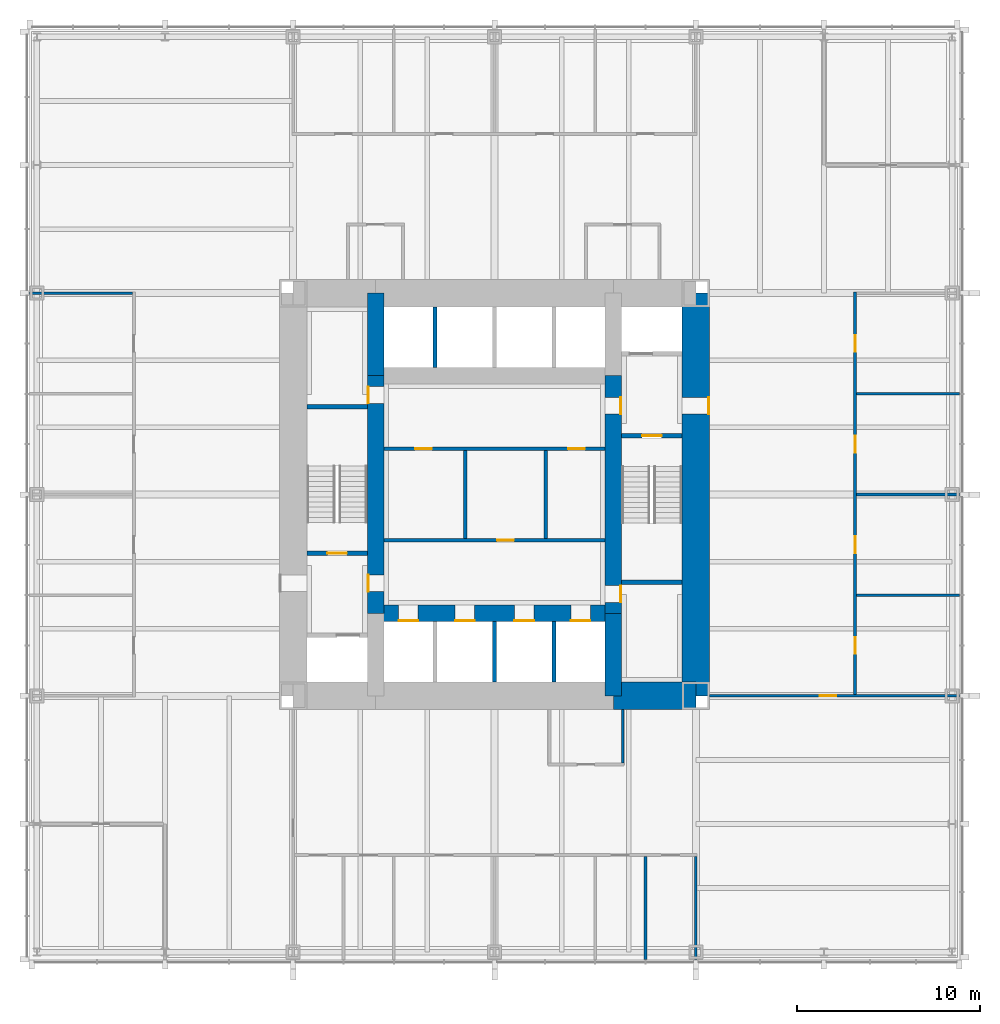
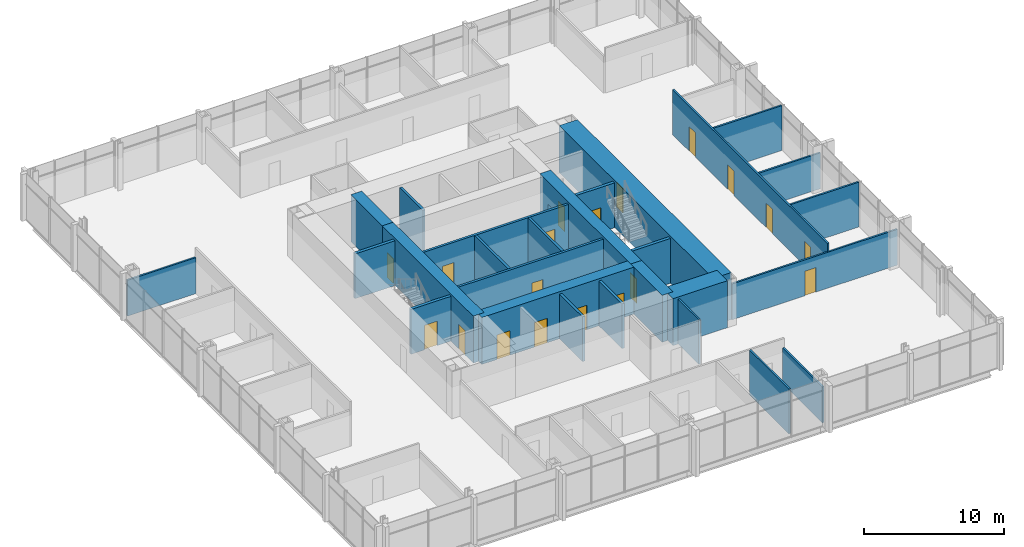
# One storey, part 10 of 12: 27 walls, 19 doors, 19 openings.
"""IFC4 building model written with IfcOpenShell, lengths in metres."""

from ifc_helpers import new_model, si_unit, direction, frame, frame_2d, origin, place, context, subcontext, project, spatial, rectangle, extrude, material, layer, layer_set, type_object, element, fill, save


model = new_model("IFC4")

# Units and contexts
model_context = context("Model", 3, precision=1e-05, world=origin(), true_north=direction((0.0, 1.0)))
body_context = subcontext(model_context, "Body", "Model", "MODEL_VIEW")
ifc_project = project(units=[si_unit("LENGTHUNIT", "METRE"), si_unit("AREAUNIT", "SQUARE_METRE"), si_unit("VOLUMEUNIT", "CUBIC_METRE"), si_unit("PLANEANGLEUNIT", "RADIAN"), si_unit("MASSUNIT", "GRAM", prefix="KILO")], contexts=[model_context])

# Site, building, storey
site_placement = place(None, origin())
site = spatial("IfcSite", under=ifc_project, at=site_placement, CompositionType="ELEMENT")
building_placement = place(site_placement, origin())
building = spatial("IfcBuilding", under=site, at=building_placement, Name="Trevanion Tower", CompositionType="ELEMENT")
storey_placement = place(building_placement, frame((0.0, 0.0, 69.300048828125)))
storey = spatial("IfcBuildingStorey", under=building, at=storey_placement, Name="L16", CompositionType="ELEMENT", Elevation=69.300048828125)

# Wall, opening, door
ifc_material_1 = material(Name="Concrete 10,000 psi", Category="concrete")
ifc_layer_1 = layer(ifc_material_1, 1.5)
ifc_layer_set_1 = layer_set([ifc_layer_1], Name="CW1 core wall 1500")
wall_type_1 = type_object("IfcWallType", Name="CW1 core wall 1500", PredefinedType="SHEAR", material=ifc_layer_set_1)
wall_1_placement = place(storey_placement, frame((11.0, -11.0, 0.0), z_axis=(0.0, 0.0, 1.0), x_axis=(0.0, 1.0, 0.0)))
wall_1 = element("IfcWall", 1, at=wall_1_placement, inside=storey, type_object=wall_type_1, Name="CW1 CE L16", PredefinedType="SHEAR", context=body_context, shape_type="SweptSolid", body=[
    extrude(rectangle(XDim=22.0, YDim=1.5, at=frame_2d((11.0, 0.0))), origin(), (0.0, 0.0, 1.0), 4.099853515625),
])
opening_1_placement = place(wall_1_placement, frame((15.392578125, 0.0, 0.0)))
opening_1 = element("IfcOpeningElement", 2, at=opening_1_placement, cuts=wall_1, Name="Opening 16-001", PredefinedType="OPENING", context=body_context, shape_type="SweptSolid", body=[
    extrude(rectangle(XDim=0.9150390625, YDim=2.134033203125, at=frame_2d((0.45751953125, 1.06689453125))), frame((0.0, 0.760009765625, 0.0), z_axis=(0.0, -1.0, 0.0), x_axis=(1.0, 0.0, 0.0)), (0.0, 0.0, 1.0), 1.52001953125),
])
ifc_material_2 = material(Name="Hollow metal, fire rated", Category="steel")
door_type_1 = type_object("IfcDoorType", Name="D3 fire lift lobby door", OperationType="SINGLE_SWING_RIGHT", PredefinedType="DOOR", material=ifc_material_2)
door_1_placement = place(opening_1_placement, origin())
door_1 = element("IfcDoor", 3, at=door_1_placement, inside=storey, type_object=door_type_1, Name="Door 16-001", OperationType="SINGLE_SWING_RIGHT", OverallHeight=2.134033203125, OverallWidth=0.9150390625, PredefinedType="DOOR", context=body_context, shape_type="SweptSolid", body=[
    extrude(rectangle(XDim=0.9150390625, YDim=2.134033203125, at=frame_2d((0.45751953125, 1.06689453125))), frame((0.0, -0.6748046875, 0.0), z_axis=(0.0, -1.0, 0.0), x_axis=(1.0, 0.0, 0.0)), (0.0, 0.0, 1.0), 0.050048828125),
])
fill(opening_1, door_1)

# Walls
wall_2_placement = place(storey_placement, frame((6.5, -11.0, 0.0), z_axis=(0.0, 0.0, 1.0), x_axis=(1.0, 0.0, 0.0)))
element("IfcWall", 4, at=wall_2_placement, inside=storey, type_object=wall_type_1, Name="CW1 CS3 L16", PredefinedType="SHEAR", context=body_context, shape_type="SweptSolid", body=[
    extrude(rectangle(XDim=4.5, YDim=1.5, at=frame_2d((2.25, 0.0))), origin(), (0.0, 0.0, 1.0), 4.099853515625),
])
ifc_material_3 = material(Name="Concrete 10,000 psi", Category="concrete")
ifc_layer_2 = layer(ifc_material_3, 0.89990234375)
ifc_layer_set_2 = layer_set([ifc_layer_2], Name="CW2 core wall 900")
wall_type_2 = type_object("IfcWallType", Name="CW2 core wall 900", PredefinedType="SHEAR", material=ifc_layer_set_2)
wall_3_placement = place(storey_placement, frame((6.5, -11.0, 0.0), z_axis=(0.0, 0.0, 1.0), x_axis=(0.0, 1.0, 0.0)))
element("IfcWall", 5, at=wall_3_placement, inside=storey, type_object=wall_type_2, Name="CW2 RE1 L16", PredefinedType="SHEAR", context=body_context, shape_type="SweptSolid", body=[
    extrude(rectangle(XDim=4.5, YDim=0.89990234375, at=frame_2d((2.25, 0.0))), origin(), (0.0, 0.0, 1.0), 4.099853515625),
])

# Wall, openings, doors
wall_4_placement = place(storey_placement, frame((6.5, -6.5, 0.0), z_axis=(0.0, 0.0, 1.0), x_axis=(0.0, 1.0, 0.0)))
wall_4 = element("IfcWall", 6, at=wall_4_placement, inside=storey, type_object=wall_type_2, Name="CW2 RE2 L16", PredefinedType="SHEAR", context=body_context, shape_type="SweptSolid", body=[
    extrude(rectangle(XDim=13.0, YDim=0.89990234375, at=frame_2d((6.5, 0.0))), origin(), (0.0, 0.0, 1.0), 4.099853515625),
])
opening_2_placement = place(wall_4_placement, frame((10.892578125, 0.0, 0.0)))
opening_2 = element("IfcOpeningElement", 7, at=opening_2_placement, cuts=wall_4, Name="Opening 16-003", PredefinedType="OPENING", context=body_context, shape_type="SweptSolid", body=[
    extrude(rectangle(XDim=0.9150390625, YDim=2.134033203125, at=frame_2d((0.45751953125, 1.06689453125))), frame((0.0, 0.4599609375, 0.0), z_axis=(0.0, -1.0, 0.0), x_axis=(1.0, 0.0, 0.0)), (0.0, 0.0, 1.0), 0.919921875),
])
opening_3_placement = place(wall_4_placement, frame((0.610107421875, 0.0, 0.0)))
opening_3 = element("IfcOpeningElement", 8, at=opening_3_placement, cuts=wall_4, Name="Opening 16-009", PredefinedType="OPENING", context=body_context, shape_type="SweptSolid", body=[
    extrude(rectangle(XDim=0.9150390625, YDim=2.134033203125, at=frame_2d((0.45751953125, 1.06689453125))), frame((0.0, 0.4599609375, 0.0), z_axis=(0.0, -1.0, 0.0), x_axis=(1.0, 0.0, 0.0)), (0.0, 0.0, 1.0), 0.919921875),
])
door_2_placement = place(opening_2_placement, origin())
door_2 = element("IfcDoor", 9, at=door_2_placement, inside=storey, type_object=door_type_1, Name="Door 16-003", OperationType="SINGLE_SWING_RIGHT", OverallHeight=2.134033203125, OverallWidth=0.9150390625, PredefinedType="DOOR", context=body_context, shape_type="SweptSolid", body=[
    extrude(rectangle(XDim=0.9150390625, YDim=2.134033203125, at=frame_2d((0.45751953125, 1.06689453125))), frame((0.0, -0.375, 0.0), z_axis=(0.0, -1.0, 0.0), x_axis=(1.0, 0.0, 0.0)), (0.0, 0.0, 1.0), 0.050048828125),
])
fill(opening_2, door_2)
ifc_material_4 = material(Name="Hollow metal, fire rated", Category="steel")
door_type_2 = type_object("IfcDoorType", Name="D5 service room door", OperationType="SINGLE_SWING_RIGHT", PredefinedType="DOOR", material=ifc_material_4)
door_3_placement = place(opening_3_placement, origin())
door_3 = element("IfcDoor", 10, at=door_3_placement, inside=storey, type_object=door_type_2, Name="Door 16-009", OperationType="SINGLE_SWING_RIGHT", OverallHeight=2.134033203125, OverallWidth=0.9150390625, PredefinedType="DOOR", context=body_context, shape_type="SweptSolid", body=[
    extrude(rectangle(XDim=0.9150390625, YDim=2.134033203125, at=frame_2d((0.45751953125, 1.06689453125))), frame((0.0, -0.375, 0.0), z_axis=(0.0, -1.0, 0.0), x_axis=(1.0, 0.0, 0.0)), (0.0, 0.0, 1.0), 0.050048828125),
])
fill(opening_3, door_3)

# Wall
wall_5_placement = place(storey_placement, frame((-6.5, 11.0, 0.0), z_axis=(0.0, 0.0, 1.0), x_axis=(0.0, -1.0, 0.0)))
element("IfcWall", 11, at=wall_5_placement, inside=storey, type_object=wall_type_2, Name="CW2 RW1 L16", PredefinedType="SHEAR", context=body_context, shape_type="SweptSolid", body=[
    extrude(rectangle(XDim=4.5, YDim=0.89990234375, at=frame_2d((2.25, 0.0))), origin(), (0.0, 0.0, 1.0), 4.099853515625),
])

# Wall, openings, doors
wall_6_placement = place(storey_placement, frame((-6.5, 6.5, 0.0), z_axis=(0.0, 0.0, 1.0), x_axis=(0.0, -1.0, 0.0)))
wall_6 = element("IfcWall", 12, at=wall_6_placement, inside=storey, type_object=wall_type_2, Name="CW2 RW2 L16", PredefinedType="SHEAR", context=body_context, shape_type="SweptSolid", body=[
    extrude(rectangle(XDim=13.0, YDim=0.89990234375, at=frame_2d((6.5, 0.0))), origin(), (0.0, 0.0, 1.0), 4.099853515625),
])
opening_4_placement = place(wall_6_placement, frame((10.892578125, 0.0, 0.0)))
opening_4 = element("IfcOpeningElement", 13, at=opening_4_placement, cuts=wall_6, Name="Opening 16-004", PredefinedType="OPENING", context=body_context, shape_type="SweptSolid", body=[
    extrude(rectangle(XDim=0.9150390625, YDim=2.134033203125, at=frame_2d((0.45751953125, 1.06689453125))), frame((0.0, 0.4599609375, 0.0), z_axis=(0.0, -1.0, 0.0), x_axis=(1.0, 0.0, 0.0)), (0.0, 0.0, 1.0), 0.919921875),
])
opening_5_placement = place(wall_6_placement, frame((0.610107421875, 0.0, 0.0)))
opening_5 = element("IfcOpeningElement", 14, at=opening_5_placement, cuts=wall_6, Name="Opening 16-010", PredefinedType="OPENING", context=body_context, shape_type="SweptSolid", body=[
    extrude(rectangle(XDim=0.9150390625, YDim=2.134033203125, at=frame_2d((0.45751953125, 1.06689453125))), frame((0.0, 0.4599609375, 0.0), z_axis=(0.0, -1.0, 0.0), x_axis=(1.0, 0.0, 0.0)), (0.0, 0.0, 1.0), 0.919921875),
])
door_4_placement = place(opening_4_placement, origin())
door_4 = element("IfcDoor", 15, at=door_4_placement, inside=storey, type_object=door_type_1, Name="Door 16-004", OperationType="SINGLE_SWING_RIGHT", OverallHeight=2.134033203125, OverallWidth=0.9150390625, PredefinedType="DOOR", context=body_context, shape_type="SweptSolid", body=[
    extrude(rectangle(XDim=0.9150390625, YDim=2.134033203125, at=frame_2d((0.45751953125, 1.06689453125))), frame((0.0, -0.375, 0.0), z_axis=(0.0, -1.0, 0.0), x_axis=(1.0, 0.0, 0.0)), (0.0, 0.0, 1.0), 0.050048828125),
])
fill(opening_4, door_4)
door_5_placement = place(opening_5_placement, origin())
door_5 = element("IfcDoor", 16, at=door_5_placement, inside=storey, type_object=door_type_2, Name="Door 16-010", OperationType="SINGLE_SWING_RIGHT", OverallHeight=2.134033203125, OverallWidth=0.9150390625, PredefinedType="DOOR", context=body_context, shape_type="SweptSolid", body=[
    extrude(rectangle(XDim=0.9150390625, YDim=2.134033203125, at=frame_2d((0.45751953125, 1.06689453125))), frame((0.0, -0.375, 0.0), z_axis=(0.0, -1.0, 0.0), x_axis=(1.0, 0.0, 0.0)), (0.0, 0.0, 1.0), 0.050048828125),
])
fill(opening_5, door_5)

wall_7_placement = place(storey_placement, frame((-6.5, -6.5, 0.0), z_axis=(0.0, 0.0, 1.0), x_axis=(1.0, 0.0, 0.0)))
wall_7 = element("IfcWall", 17, at=wall_7_placement, inside=storey, type_object=wall_type_2, Name="CW2 RS L16", PredefinedType="SHEAR", context=body_context, shape_type="SweptSolid", body=[
    extrude(rectangle(XDim=13.0, YDim=0.89990234375, at=frame_2d((6.5, 0.0))), origin(), (0.0, 0.0, 1.0), 4.099853515625),
])
opening_6_placement = place(wall_7_placement, frame((1.2666015625, 0.0, 0.0)))
opening_6 = element("IfcOpeningElement", 18, at=opening_6_placement, cuts=wall_7, Name="Opening 16-011", PredefinedType="OPENING", context=body_context, shape_type="SweptSolid", body=[
    extrude(rectangle(XDim=1.06689453125, YDim=2.134033203125, at=frame_2d((0.533447265625, 1.06689453125))), frame((0.0, 0.4599609375, 0.0), z_axis=(0.0, -1.0, 0.0), x_axis=(1.0, 0.0, 0.0)), (0.0, 0.0, 1.0), 0.919921875),
])
opening_7_placement = place(wall_7_placement, frame((4.341552734375, 0.0, 0.0)))
opening_7 = element("IfcOpeningElement", 19, at=opening_7_placement, cuts=wall_7, Name="Opening 16-012", PredefinedType="OPENING", context=body_context, shape_type="SweptSolid", body=[
    extrude(rectangle(XDim=1.06689453125, YDim=2.134033203125, at=frame_2d((0.533447265625, 1.06689453125))), frame((0.0, 0.4599609375, 0.0), z_axis=(0.0, -1.0, 0.0), x_axis=(1.0, 0.0, 0.0)), (0.0, 0.0, 1.0), 0.919921875),
])
opening_8_placement = place(wall_7_placement, frame((7.591552734375, 0.0, 0.0)))
opening_8 = element("IfcOpeningElement", 20, at=opening_8_placement, cuts=wall_7, Name="Opening 16-013", PredefinedType="OPENING", context=body_context, shape_type="SweptSolid", body=[
    extrude(rectangle(XDim=1.06689453125, YDim=2.134033203125, at=frame_2d((0.533447265625, 1.06689453125))), frame((0.0, 0.4599609375, 0.0), z_axis=(0.0, -1.0, 0.0), x_axis=(1.0, 0.0, 0.0)), (0.0, 0.0, 1.0), 0.919921875),
])
opening_9_placement = place(wall_7_placement, frame((10.66650390625, 0.0, 0.0)))
opening_9 = element("IfcOpeningElement", 21, at=opening_9_placement, cuts=wall_7, Name="Opening 16-014", PredefinedType="OPENING", context=body_context, shape_type="SweptSolid", body=[
    extrude(rectangle(XDim=1.06689453125, YDim=2.134033203125, at=frame_2d((0.533447265625, 1.06689453125))), frame((0.0, 0.4599609375, 0.0), z_axis=(0.0, -1.0, 0.0), x_axis=(1.0, 0.0, 0.0)), (0.0, 0.0, 1.0), 0.919921875),
])
ifc_material_5 = material(Name="Stainless steel, fire rated", Category="steel")
door_type_3 = type_object("IfcDoorType", Name="LD1 lift landing door", OperationType="SLIDING_TO_LEFT", PredefinedType="DOOR", material=ifc_material_5)
door_6_placement = place(opening_6_placement, origin())
door_6 = element("IfcDoor", 22, at=door_6_placement, inside=storey, type_object=door_type_3, Name="Door 16-011", OperationType="SLIDING_TO_LEFT", OverallHeight=2.134033203125, OverallWidth=1.06689453125, PredefinedType="DOOR", context=body_context, shape_type="SweptSolid", body=[
    extrude(rectangle(XDim=1.06689453125, YDim=2.134033203125, at=frame_2d((0.533447265625, 1.06689453125))), frame((0.0, -0.375, 0.0), z_axis=(0.0, -1.0, 0.0), x_axis=(1.0, 0.0, 0.0)), (0.0, 0.0, 1.0), 0.050048828125),
])
fill(opening_6, door_6)
door_7_placement = place(opening_7_placement, origin())
door_7 = element("IfcDoor", 23, at=door_7_placement, inside=storey, type_object=door_type_3, Name="Door 16-012", OperationType="SLIDING_TO_LEFT", OverallHeight=2.134033203125, OverallWidth=1.06689453125, PredefinedType="DOOR", context=body_context, shape_type="SweptSolid", body=[
    extrude(rectangle(XDim=1.06689453125, YDim=2.134033203125, at=frame_2d((0.533447265625, 1.06689453125))), frame((0.0, -0.375, 0.0), z_axis=(0.0, -1.0, 0.0), x_axis=(1.0, 0.0, 0.0)), (0.0, 0.0, 1.0), 0.050048828125),
])
fill(opening_7, door_7)
door_8_placement = place(opening_8_placement, origin())
door_8 = element("IfcDoor", 24, at=door_8_placement, inside=storey, type_object=door_type_3, Name="Door 16-013", OperationType="SLIDING_TO_LEFT", OverallHeight=2.134033203125, OverallWidth=1.06689453125, PredefinedType="DOOR", context=body_context, shape_type="SweptSolid", body=[
    extrude(rectangle(XDim=1.06689453125, YDim=2.134033203125, at=frame_2d((0.533447265625, 1.06689453125))), frame((0.0, -0.375, 0.0), z_axis=(0.0, -1.0, 0.0), x_axis=(1.0, 0.0, 0.0)), (0.0, 0.0, 1.0), 0.050048828125),
])
fill(opening_8, door_8)
door_9_placement = place(opening_9_placement, origin())
door_9 = element("IfcDoor", 25, at=door_9_placement, inside=storey, type_object=door_type_3, Name="Door 16-014", OperationType="SLIDING_TO_LEFT", OverallHeight=2.134033203125, OverallWidth=1.06689453125, PredefinedType="DOOR", context=body_context, shape_type="SweptSolid", body=[
    extrude(rectangle(XDim=1.06689453125, YDim=2.134033203125, at=frame_2d((0.533447265625, 1.06689453125))), frame((0.0, -0.375, 0.0), z_axis=(0.0, -1.0, 0.0), x_axis=(1.0, 0.0, 0.0)), (0.0, 0.0, 1.0), 0.050048828125),
])
fill(opening_9, door_9)

# Wall, opening, door
ifc_material_6 = material(Name="Gypsum board on steel studs", Category="steel")
ifc_layer_3 = layer(ifc_material_6, 0.14990234375)
ifc_layer_set_3 = layer_set([ifc_layer_3], Name="PT1 partition 150")
wall_type_3 = type_object("IfcWallType", Name="PT1 partition 150", PredefinedType="PARTITIONING", material=ifc_layer_set_3)
wall_8_placement = place(storey_placement, frame((11.75, -11.0, 0.0), z_axis=(0.0, 0.0, 1.0), x_axis=(1.0, 0.0, 0.0)))
wall_8 = element("IfcWall", 26, at=wall_8_placement, inside=storey, type_object=wall_type_3, Name="PT1 L16 ZW3", PredefinedType="PARTITIONING", context=body_context, shape_type="SweptSolid", body=[
    extrude(rectangle(XDim=13.6650390625, YDim=0.14990234375, at=frame_2d((6.83251953125, 0.0))), origin(), (0.0, 0.0, 1.0), 3.130126953125),
])
opening_10_placement = place(wall_8_placement, frame((6.017578125, 0.0, 0.0)))
opening_10 = element("IfcOpeningElement", 27, at=opening_10_placement, cuts=wall_8, Name="Opening 16-019", PredefinedType="OPENING", context=body_context, shape_type="SweptSolid", body=[
    extrude(rectangle(XDim=0.9150390625, YDim=2.134033203125, at=frame_2d((0.45751953125, 1.06689453125))), frame((0.0, 0.0849609375, 0.0), z_axis=(0.0, -1.0, 0.0), x_axis=(1.0, 0.0, 0.0)), (0.0, 0.0, 1.0), 0.169921875),
])
ifc_material_7 = material(Name="Timber veneer, solid core", Category="wood")
door_type_4 = type_object("IfcDoorType", Name="D1 office and meeting room door", OperationType="SINGLE_SWING_LEFT", PredefinedType="DOOR", material=ifc_material_7)
door_10_placement = place(opening_10_placement, origin())
door_10 = element("IfcDoor", 28, at=door_10_placement, inside=storey, type_object=door_type_4, Name="Door 16-019", OperationType="SINGLE_SWING_LEFT", OverallHeight=2.134033203125, OverallWidth=0.9150390625, PredefinedType="DOOR", context=body_context, shape_type="SweptSolid", body=[
    extrude(rectangle(XDim=0.9150390625, YDim=2.134033203125, at=frame_2d((0.45751953125, 1.06689453125))), frame((0.0, 0.02490234375, 0.0), z_axis=(0.0, -1.0, 0.0), x_axis=(1.0, 0.0, 0.0)), (0.0, 0.0, 1.0), 0.050048828125),
])
fill(opening_10, door_10)

# Walls
wall_9_placement = place(storey_placement, frame((8.25, -19.77490234375, 0.0), z_axis=(0.0, 0.0, 1.0), x_axis=(0.0, -1.0, 0.0)))
element("IfcWall", 29, at=wall_9_placement, inside=storey, type_object=wall_type_3, Name="PT1 L16 FC3S7", PredefinedType="PARTITIONING", context=body_context, shape_type="SweptSolid", body=[
    extrude(rectangle(XDim=5.64013671875, YDim=0.14990234375, at=frame_2d((2.820068359375, 0.0))), origin(), (0.0, 0.0, 1.0), 3.909912109375),
])
wall_10_placement = place(storey_placement, frame((11.0, -19.77490234375, 0.0), z_axis=(0.0, 0.0, 1.0), x_axis=(0.0, -1.0, 0.0)))
element("IfcWall", 30, at=wall_10_placement, inside=storey, type_object=wall_type_3, Name="PT1 L16 FC3S8", PredefinedType="PARTITIONING", context=body_context, shape_type="SweptSolid", body=[
    extrude(rectangle(XDim=5.64013671875, YDim=0.14990234375, at=frame_2d((2.820068359375, 0.0))), origin(), (0.0, 0.0, 1.0), 3.130126953125),
])

# Wall, openings, doors
wall_11_placement = place(storey_placement, frame((19.699951171875, -11.074951171875, 0.0), z_axis=(0.0, 0.0, 1.0), x_axis=(0.0, 1.0, 0.0)))
wall_11 = element("IfcWall", 31, at=wall_11_placement, inside=storey, type_object=wall_type_3, Name="PT1 L16 FC0F", PredefinedType="PARTITIONING", context=body_context, shape_type="SweptSolid", body=[
    extrude(rectangle(XDim=22.14990234375, YDim=0.14990234375, at=frame_2d((11.074951171875, 0.0))), origin(), (0.0, 0.0, 1.0), 3.909912109375),
])
opening_11_placement = place(wall_11_placement, frame((2.367431640625, 0.0, 0.0)))
opening_11 = element("IfcOpeningElement", 32, at=opening_11_placement, cuts=wall_11, Name="Opening 16-032", PredefinedType="OPENING", context=body_context, shape_type="SweptSolid", body=[
    extrude(rectangle(XDim=0.9150390625, YDim=2.134033203125, at=frame_2d((0.45751953125, 1.06689453125))), frame((0.0, 0.0849609375, 0.0), z_axis=(0.0, -1.0, 0.0), x_axis=(1.0, 0.0, 0.0)), (0.0, 0.0, 1.0), 0.169921875),
])
opening_12_placement = place(wall_11_placement, frame((7.867431640625, 0.0, 0.0)))
opening_12 = element("IfcOpeningElement", 33, at=opening_12_placement, cuts=wall_11, Name="Opening 16-033", PredefinedType="OPENING", context=body_context, shape_type="SweptSolid", body=[
    extrude(rectangle(XDim=0.9150390625, YDim=2.134033203125, at=frame_2d((0.45751953125, 1.06689453125))), frame((0.0, 0.0849609375, 0.0), z_axis=(0.0, -1.0, 0.0), x_axis=(1.0, 0.0, 0.0)), (0.0, 0.0, 1.0), 0.169921875),
])
opening_13_placement = place(wall_11_placement, frame((13.367431640625, 0.0, 0.0)))
opening_13 = element("IfcOpeningElement", 34, at=opening_13_placement, cuts=wall_11, Name="Opening 16-034", PredefinedType="OPENING", context=body_context, shape_type="SweptSolid", body=[
    extrude(rectangle(XDim=0.9150390625, YDim=2.134033203125, at=frame_2d((0.45751953125, 1.06689453125))), frame((0.0, 0.0849609375, 0.0), z_axis=(0.0, -1.0, 0.0), x_axis=(1.0, 0.0, 0.0)), (0.0, 0.0, 1.0), 0.169921875),
])
opening_14_placement = place(wall_11_placement, frame((18.867431640625, 0.0, 0.0)))
opening_14 = element("IfcOpeningElement", 35, at=opening_14_placement, cuts=wall_11, Name="Opening 16-035", PredefinedType="OPENING", context=body_context, shape_type="SweptSolid", body=[
    extrude(rectangle(XDim=0.9150390625, YDim=2.134033203125, at=frame_2d((0.45751953125, 1.06689453125))), frame((0.0, 0.0849609375, 0.0), z_axis=(0.0, -1.0, 0.0), x_axis=(1.0, 0.0, 0.0)), (0.0, 0.0, 1.0), 0.169921875),
])
door_11_placement = place(opening_11_placement, origin())
door_11 = element("IfcDoor", 36, at=door_11_placement, inside=storey, type_object=door_type_4, Name="Door 16-032", OperationType="SINGLE_SWING_LEFT", OverallHeight=2.134033203125, OverallWidth=0.9150390625, PredefinedType="DOOR", context=body_context, shape_type="SweptSolid", body=[
    extrude(rectangle(XDim=0.9150390625, YDim=2.134033203125, at=frame_2d((0.45751953125, 1.06689453125))), frame((0.0, 0.02490234375, 0.0), z_axis=(0.0, -1.0, 0.0), x_axis=(1.0, 0.0, 0.0)), (0.0, 0.0, 1.0), 0.050048828125),
])
fill(opening_11, door_11)
door_12_placement = place(opening_12_placement, origin())
door_12 = element("IfcDoor", 37, at=door_12_placement, inside=storey, type_object=door_type_4, Name="Door 16-033", OperationType="SINGLE_SWING_LEFT", OverallHeight=2.134033203125, OverallWidth=0.9150390625, PredefinedType="DOOR", context=body_context, shape_type="SweptSolid", body=[
    extrude(rectangle(XDim=0.9150390625, YDim=2.134033203125, at=frame_2d((0.45751953125, 1.06689453125))), frame((0.0, 0.02490234375, 0.0), z_axis=(0.0, -1.0, 0.0), x_axis=(1.0, 0.0, 0.0)), (0.0, 0.0, 1.0), 0.050048828125),
])
fill(opening_12, door_12)
door_13_placement = place(opening_13_placement, origin())
door_13 = element("IfcDoor", 38, at=door_13_placement, inside=storey, type_object=door_type_4, Name="Door 16-034", OperationType="SINGLE_SWING_LEFT", OverallHeight=2.134033203125, OverallWidth=0.9150390625, PredefinedType="DOOR", context=body_context, shape_type="SweptSolid", body=[
    extrude(rectangle(XDim=0.9150390625, YDim=2.134033203125, at=frame_2d((0.45751953125, 1.06689453125))), frame((0.0, 0.02490234375, 0.0), z_axis=(0.0, -1.0, 0.0), x_axis=(1.0, 0.0, 0.0)), (0.0, 0.0, 1.0), 0.050048828125),
])
fill(opening_13, door_13)
door_14_placement = place(opening_14_placement, origin())
door_14 = element("IfcDoor", 39, at=door_14_placement, inside=storey, type_object=door_type_4, Name="Door 16-035", OperationType="SINGLE_SWING_LEFT", OverallHeight=2.134033203125, OverallWidth=0.9150390625, PredefinedType="DOOR", context=body_context, shape_type="SweptSolid", body=[
    extrude(rectangle(XDim=0.9150390625, YDim=2.134033203125, at=frame_2d((0.45751953125, 1.06689453125))), frame((0.0, 0.02490234375, 0.0), z_axis=(0.0, -1.0, 0.0), x_axis=(1.0, 0.0, 0.0)), (0.0, 0.0, 1.0), 0.050048828125),
])
fill(opening_14, door_14)

# Walls
wall_12_placement = place(storey_placement, frame((19.77490234375, -5.5, 0.0), z_axis=(0.0, 0.0, 1.0), x_axis=(1.0, 0.0, 0.0)))
element("IfcWall", 40, at=wall_12_placement, inside=storey, type_object=wall_type_3, Name="PT1 L16 FC0S2", PredefinedType="PARTITIONING", context=body_context, shape_type="SweptSolid", body=[
    extrude(rectangle(XDim=5.64013671875, YDim=0.14990234375, at=frame_2d((2.820068359375, 0.0))), origin(), (0.0, 0.0, 1.0), 3.909912109375),
])
wall_13_placement = place(storey_placement, frame((19.77490234375, 0.0, 0.0), z_axis=(0.0, 0.0, 1.0), x_axis=(1.0, 0.0, 0.0)))
element("IfcWall", 41, at=wall_13_placement, inside=storey, type_object=wall_type_3, Name="PT1 L16 FC0S4", PredefinedType="PARTITIONING", context=body_context, shape_type="SweptSolid", body=[
    extrude(rectangle(XDim=5.64013671875, YDim=0.14990234375, at=frame_2d((2.820068359375, 0.0))), origin(), (0.0, 0.0, 1.0), 3.130126953125),
])
wall_14_placement = place(storey_placement, frame((19.77490234375, 5.5, 0.0), z_axis=(0.0, 0.0, 1.0), x_axis=(1.0, 0.0, 0.0)))
element("IfcWall", 42, at=wall_14_placement, inside=storey, type_object=wall_type_3, Name="PT1 L16 FC0S6", PredefinedType="PARTITIONING", context=body_context, shape_type="SweptSolid", body=[
    extrude(rectangle(XDim=5.64013671875, YDim=0.14990234375, at=frame_2d((2.820068359375, 0.0))), origin(), (0.0, 0.0, 1.0), 3.909912109375),
])
wall_15_placement = place(storey_placement, frame((-19.77490234375, 11.0, 0.0), z_axis=(0.0, 0.0, 1.0), x_axis=(-1.0, 0.0, 0.0)))
element("IfcWall", 43, at=wall_15_placement, inside=storey, type_object=wall_type_3, Name="PT1 L16 FC2S0", PredefinedType="PARTITIONING", context=body_context, shape_type="SweptSolid", body=[
    extrude(rectangle(XDim=5.64013671875, YDim=0.14990234375, at=frame_2d((2.820068359375, 0.0))), origin(), (0.0, 0.0, 1.0), 3.130126953125),
])
wall_16_placement = place(storey_placement, frame((7.0, -14.675048828125, 0.0), z_axis=(0.0, 0.0, 1.0), x_axis=(0.0, 1.0, 0.0)))
element("IfcWall", 44, at=wall_16_placement, inside=storey, type_object=wall_type_3, Name="PT1 L16 IN30S1", PredefinedType="PARTITIONING", context=body_context, shape_type="SweptSolid", body=[
    extrude(rectangle(XDim=2.925048828125, YDim=0.14990234375, at=frame_2d((1.46240234375, 0.0))), origin(), (0.0, 0.0, 1.0), 3.909912109375),
])
ifc_material_8 = material(Name="Concrete masonry, grouted", Category="masonry")
ifc_layer_4 = layer(ifc_material_8, 0.199951171875)
ifc_layer_set_4 = layer_set([ifc_layer_4], Name="PT2 partition 200")
wall_type_4 = type_object("IfcWallType", Name="PT2 partition 200", PredefinedType="PARTITIONING", material=ifc_layer_set_4)
for number, where, z_axis, x_axis, name in (
    (45, (-1.60009765625, -2.39990234375, 0.0), (0.0, 0.0, 1.0), (0.0, 1.0, 0.0), "PT2 L16 TP1"),
    (46, (2.800048828125, -2.39990234375, 0.0), (0.0, 0.0, 1.0), (0.0, 1.0, 0.0), "PT2 L16 TP2"),
):
    element("IfcWall", number, at=place(storey_placement, frame(where, z_axis=z_axis, x_axis=x_axis)), inside=storey, type_object=wall_type_4, Name=name, PredefinedType="PARTITIONING", context=body_context, shape_type="SweptSolid", body=[
        extrude(rectangle(XDim=4.7998046875, YDim=0.199951171875, at=frame_2d((2.39990234375, 0.0))), origin(), (0.0, 0.0, 1.0), 3.909912109375),
    ])

# Wall, openings, doors
ifc_material_9 = material(Name="Concrete masonry, grouted", Category="masonry")
ifc_layer_5 = layer(ifc_material_9, 0.199951171875)
ifc_layer_set_5 = layer_set([ifc_layer_5], Name="PT2 partition 200 1 HR")
wall_type_5 = type_object("IfcWallType", Name="PT2 partition 200 1 HR", PredefinedType="PARTITIONING", material=ifc_layer_set_5)
wall_17_placement = place(storey_placement, frame((-6.050048828125, 2.5, 0.0), z_axis=(0.0, 0.0, 1.0), x_axis=(1.0, 0.0, 0.0)))
wall_17 = element("IfcWall", 47, at=wall_17_placement, inside=storey, type_object=wall_type_5, Name="PT2 L16 CP1", PredefinedType="PARTITIONING", context=body_context, shape_type="SweptSolid", body=[
    extrude(rectangle(XDim=12.10009765625, YDim=0.199951171875, at=frame_2d((6.050048828125, 0.0))), origin(), (0.0, 0.0, 1.0), 3.909912109375),
])
opening_15_placement = place(wall_17_placement, frame((1.717529296875, 0.0, 0.0)))
opening_15 = element("IfcOpeningElement", 48, at=opening_15_placement, cuts=wall_17, Name="Opening 16-015", PredefinedType="OPENING", context=body_context, shape_type="SweptSolid", body=[
    extrude(rectangle(XDim=0.9150390625, YDim=2.134033203125, at=frame_2d((0.45751953125, 1.06689453125))), frame((0.0, 0.10986328125, 0.0), z_axis=(0.0, -1.0, 0.0), x_axis=(1.0, 0.0, 0.0)), (0.0, 0.0, 1.0), 0.219970703125),
])
opening_16_placement = place(wall_17_placement, frame((10.0673828125, 0.0, 0.0)))
opening_16 = element("IfcOpeningElement", 49, at=opening_16_placement, cuts=wall_17, Name="Opening 16-017", PredefinedType="OPENING", context=body_context, shape_type="SweptSolid", body=[
    extrude(rectangle(XDim=0.9150390625, YDim=2.134033203125, at=frame_2d((0.45751953125, 1.06689453125))), frame((0.0, 0.10986328125, 0.0), z_axis=(0.0, -1.0, 0.0), x_axis=(1.0, 0.0, 0.0)), (0.0, 0.0, 1.0), 0.219970703125),
])
ifc_material_10 = material(Name="Plastic laminate on fire-rated core", Category="wood")
door_type_5 = type_object("IfcDoorType", Name="D12 toilet door in a one hour wall", OperationType="SINGLE_SWING_LEFT", PredefinedType="DOOR", material=ifc_material_10)
door_15_placement = place(opening_15_placement, origin())
door_15 = element("IfcDoor", 50, at=door_15_placement, inside=storey, type_object=door_type_5, Name="Door 16-015", OperationType="SINGLE_SWING_LEFT", OverallHeight=2.134033203125, OverallWidth=0.9150390625, PredefinedType="DOOR", context=body_context, shape_type="SweptSolid", body=[
    extrude(rectangle(XDim=0.9150390625, YDim=2.134033203125, at=frame_2d((0.45751953125, 1.06689453125))), frame((0.0, 0.02490234375, 0.0), z_axis=(0.0, -1.0, 0.0), x_axis=(1.0, 0.0, 0.0)), (0.0, 0.0, 1.0), 0.050048828125),
])
fill(opening_15, door_15)
door_16_placement = place(opening_16_placement, origin())
door_16 = element("IfcDoor", 51, at=door_16_placement, inside=storey, type_object=door_type_5, Name="Door 16-017", OperationType="SINGLE_SWING_LEFT", OverallHeight=2.134033203125, OverallWidth=0.9150390625, PredefinedType="DOOR", context=body_context, shape_type="SweptSolid", body=[
    extrude(rectangle(XDim=0.9150390625, YDim=2.134033203125, at=frame_2d((0.45751953125, 1.06689453125))), frame((0.0, 0.02490234375, 0.0), z_axis=(0.0, -1.0, 0.0), x_axis=(1.0, 0.0, 0.0)), (0.0, 0.0, 1.0), 0.050048828125),
])
fill(opening_16, door_16)

# Wall, opening, door
wall_18_placement = place(storey_placement, frame((6.050048828125, -2.5, 0.0), z_axis=(0.0, 0.0, 1.0), x_axis=(-1.0, 0.0, 0.0)))
wall_18 = element("IfcWall", 52, at=wall_18_placement, inside=storey, type_object=wall_type_5, Name="PT2 L16 CP2", PredefinedType="PARTITIONING", context=body_context, shape_type="SweptSolid", body=[
    extrude(rectangle(XDim=12.10009765625, YDim=0.199951171875, at=frame_2d((6.050048828125, 0.0))), origin(), (0.0, 0.0, 1.0), 3.909912109375),
])
opening_17_placement = place(wall_18_placement, frame((4.992431640625, 0.0, 0.0)))
opening_17 = element("IfcOpeningElement", 53, at=opening_17_placement, cuts=wall_18, Name="Opening 16-016", PredefinedType="OPENING", context=body_context, shape_type="SweptSolid", body=[
    extrude(rectangle(XDim=0.9150390625, YDim=2.134033203125, at=frame_2d((0.45751953125, 1.06689453125))), frame((0.0, 0.10986328125, 0.0), z_axis=(0.0, -1.0, 0.0), x_axis=(1.0, 0.0, 0.0)), (0.0, 0.0, 1.0), 0.219970703125),
])
door_17_placement = place(opening_17_placement, origin())
door_17 = element("IfcDoor", 54, at=door_17_placement, inside=storey, type_object=door_type_5, Name="Door 16-016", OperationType="SINGLE_SWING_LEFT", OverallHeight=2.134033203125, OverallWidth=0.9150390625, PredefinedType="DOOR", context=body_context, shape_type="SweptSolid", body=[
    extrude(rectangle(XDim=0.9150390625, YDim=2.134033203125, at=frame_2d((0.45751953125, 1.06689453125))), frame((0.0, 0.02490234375, 0.0), z_axis=(0.0, -1.0, 0.0), x_axis=(1.0, 0.0, 0.0)), (0.0, 0.0, 1.0), 0.050048828125),
])
fill(opening_17, door_17)

# Walls
ifc_material_11 = material(Name="Concrete masonry, grouted", Category="masonry")
ifc_layer_6 = layer(ifc_material_11, 0.199951171875)
ifc_layer_set_6 = layer_set([ifc_layer_6], Name="PT2 partition 200 2 HR")
wall_type_6 = type_object("IfcWallType", Name="PT2 partition 200 2 HR", PredefinedType="PARTITIONING", material=ifc_layer_set_6)
for number, where, z_axis, x_axis, name in (
    (55, (-3.25, 6.949951171875, 0.0), (0.0, 0.0, 1.0), (0.0, 1.0, 0.0), "PT2 L16 NS0"),
    (56, (0.0, -10.25, 0.0), (0.0, 0.0, 1.0), (0.0, 1.0, 0.0), "PT2 L16 SS1"),
    (57, (3.25, -10.25, 0.0), (0.0, 0.0, 1.0), (0.0, 1.0, 0.0), "PT2 L16 SS2"),
):
    element("IfcWall", number, at=place(storey_placement, frame(where, z_axis=z_axis, x_axis=x_axis)), inside=storey, type_object=wall_type_6, Name=name, PredefinedType="PARTITIONING", context=body_context, shape_type="SweptSolid", body=[
        extrude(rectangle(XDim=3.300048828125, YDim=0.199951171875, at=frame_2d((1.64990234375, 0.0))), origin(), (0.0, 0.0, 1.0), 3.909912109375),
    ])
ifc_material_12 = material(Name="Reinforced masonry, fully grouted", Category="masonry")
ifc_layer_7 = layer(ifc_material_12, 0.25)
ifc_layer_set_7 = layer_set([ifc_layer_7], Name="SW1 stair shaft wall 250")
wall_type_7 = type_object("IfcWallType", Name="SW1 stair shaft wall 250", PredefinedType="SOLIDWALL", material=ifc_layer_set_7)
for number, where, z_axis, x_axis, name in (
    (58, (6.949951171875, -4.800048828125, 0.0), (0.0, 0.0, 1.0), (1.0, 0.0, 0.0), "SW1 L16 EP1"),
    (59, (-6.949951171875, 4.800048828125, 0.0), (0.0, 0.0, 1.0), (-1.0, 0.0, 0.0), "SW1 L16 WP1"),
):
    element("IfcWall", number, at=place(storey_placement, frame(where, z_axis=z_axis, x_axis=x_axis)), inside=storey, type_object=wall_type_7, Name=name, PredefinedType="SOLIDWALL", context=body_context, shape_type="SweptSolid", body=[
        extrude(rectangle(XDim=3.300048828125, YDim=0.25, at=frame_2d((1.64990234375, 0.0))), origin(), (0.0, 0.0, 1.0), 3.909912109375),
    ])

# Wall, opening, door
wall_19_placement = place(storey_placement, frame((6.949951171875, 3.199951171875, 0.0), z_axis=(0.0, 0.0, 1.0), x_axis=(1.0, 0.0, 0.0)))
wall_19 = element("IfcWall", 60, at=wall_19_placement, inside=storey, type_object=wall_type_7, Name="SW1 L16 EP2", PredefinedType="SOLIDWALL", context=body_context, shape_type="SweptSolid", body=[
    extrude(rectangle(XDim=3.300048828125, YDim=0.25, at=frame_2d((1.64990234375, 0.0))), origin(), (0.0, 0.0, 1.0), 3.909912109375),
])
opening_18_placement = place(wall_19_placement, frame((1.116455078125, 0.0, 0.0)))
opening_18 = element("IfcOpeningElement", 61, at=opening_18_placement, cuts=wall_19, Name="Opening 16-005", PredefinedType="OPENING", context=body_context, shape_type="SweptSolid", body=[
    extrude(rectangle(XDim=1.06689453125, YDim=2.134033203125, at=frame_2d((0.533447265625, 1.06689453125))), frame((0.0, 0.135009765625, 0.0), z_axis=(0.0, -1.0, 0.0), x_axis=(1.0, 0.0, 0.0)), (0.0, 0.0, 1.0), 0.27001953125),
])
ifc_material_13 = material(Name="Hollow metal, fire rated", Category="steel")
door_type_6 = type_object("IfcDoorType", Name="D2 exit stair door", OperationType="SINGLE_SWING_LEFT", PredefinedType="DOOR", material=ifc_material_13)
door_18_placement = place(opening_18_placement, origin())
door_18 = element("IfcDoor", 62, at=door_18_placement, inside=storey, type_object=door_type_6, Name="Door 16-005", OperationType="SINGLE_SWING_LEFT", OverallHeight=2.134033203125, OverallWidth=1.06689453125, PredefinedType="DOOR", context=body_context, shape_type="SweptSolid", body=[
    extrude(rectangle(XDim=1.06689453125, YDim=2.134033203125, at=frame_2d((0.533447265625, 1.06689453125))), frame((0.0, 0.02490234375, 0.0), z_axis=(0.0, -1.0, 0.0), x_axis=(1.0, 0.0, 0.0)), (0.0, 0.0, 1.0), 0.050048828125),
])
fill(opening_18, door_18)

wall_20_placement = place(storey_placement, frame((-6.949951171875, -3.199951171875, 0.0), z_axis=(0.0, 0.0, 1.0), x_axis=(-1.0, 0.0, 0.0)))
wall_20 = element("IfcWall", 63, at=wall_20_placement, inside=storey, type_object=wall_type_7, Name="SW1 L16 WP2", PredefinedType="SOLIDWALL", context=body_context, shape_type="SweptSolid", body=[
    extrude(rectangle(XDim=3.300048828125, YDim=0.25, at=frame_2d((1.64990234375, 0.0))), origin(), (0.0, 0.0, 1.0), 3.909912109375),
])
opening_19_placement = place(wall_20_placement, frame((1.116455078125, 0.0, 0.0)))
opening_19 = element("IfcOpeningElement", 64, at=opening_19_placement, cuts=wall_20, Name="Opening 16-006", PredefinedType="OPENING", context=body_context, shape_type="SweptSolid", body=[
    extrude(rectangle(XDim=1.06689453125, YDim=2.134033203125, at=frame_2d((0.533447265625, 1.06689453125))), frame((0.0, 0.135009765625, 0.0), z_axis=(0.0, -1.0, 0.0), x_axis=(1.0, 0.0, 0.0)), (0.0, 0.0, 1.0), 0.27001953125),
])
door_19_placement = place(opening_19_placement, origin())
door_19 = element("IfcDoor", 65, at=door_19_placement, inside=storey, type_object=door_type_6, Name="Door 16-006", OperationType="SINGLE_SWING_LEFT", OverallHeight=2.134033203125, OverallWidth=1.06689453125, PredefinedType="DOOR", context=body_context, shape_type="SweptSolid", body=[
    extrude(rectangle(XDim=1.06689453125, YDim=2.134033203125, at=frame_2d((0.533447265625, 1.06689453125))), frame((0.0, 0.02490234375, 0.0), z_axis=(0.0, -1.0, 0.0), x_axis=(1.0, 0.0, 0.0)), (0.0, 0.0, 1.0), 0.050048828125),
])
fill(opening_19, door_19)

save(model, "model.ifc")
